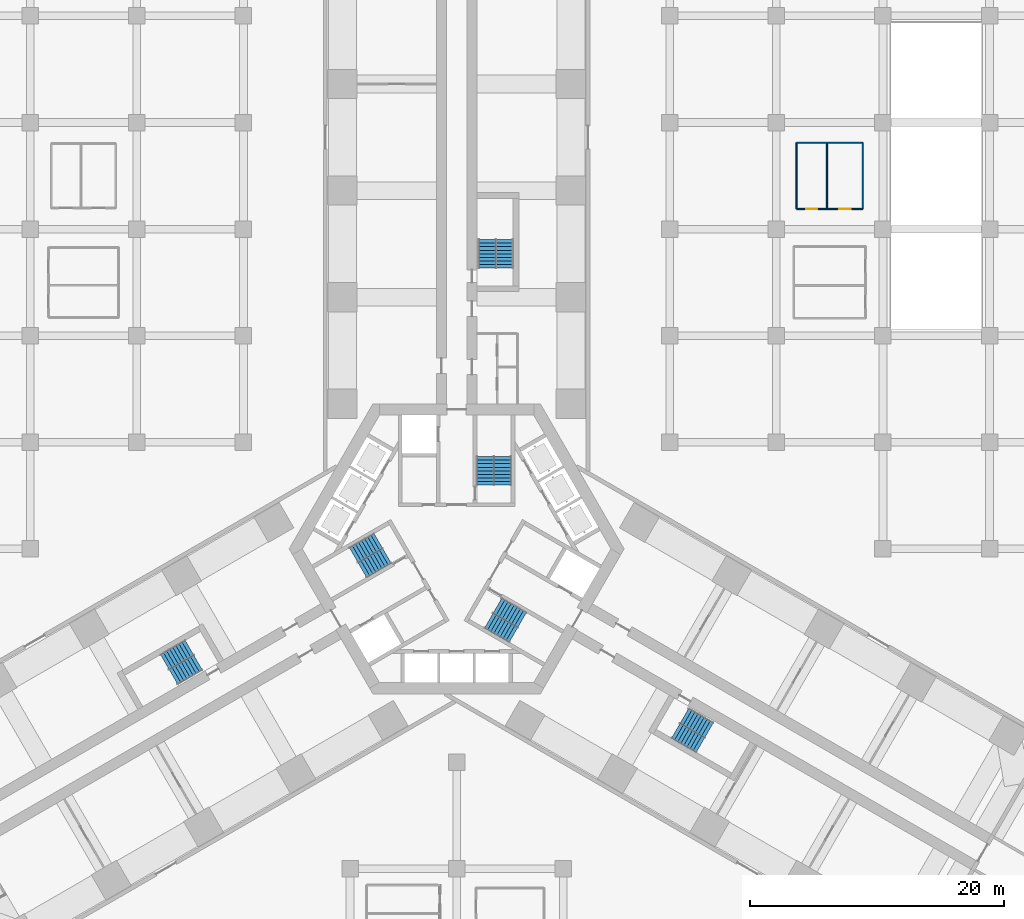
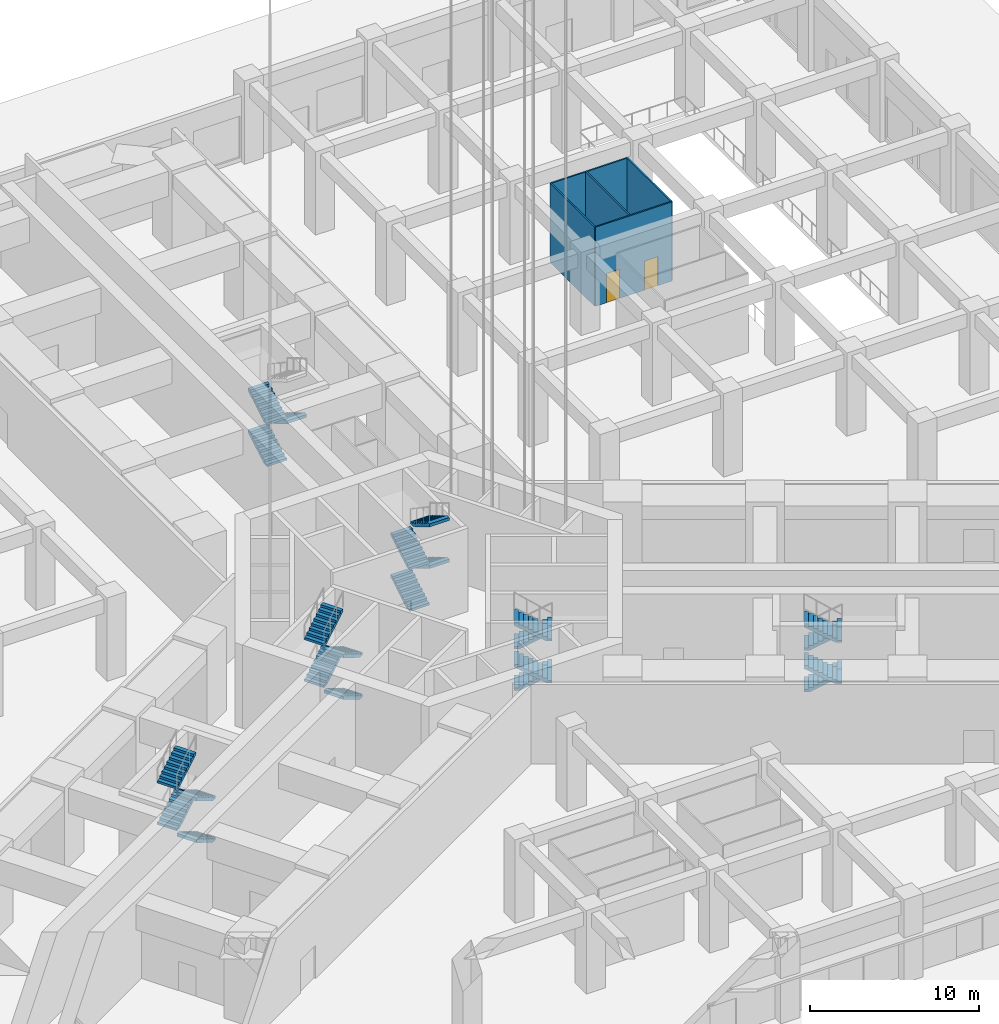
# One storey, part 15 of 33: 23 stair flights, 5 walls, 2 doors, 2 openings, 6 elements without a shape of their own.
"""IFC4 building model written with IfcOpenShell, lengths in metres."""

from ifc_helpers import new_model, si_unit, direction, frame, frame_2d, origin, place, context, subcontext, project, spatial, polyline, rectangle, outline, extrude, material, layer, layer_set, type_object, element, fill, aggregate, save


model = new_model("IFC4")

# Units and contexts
model_context = context("Model", 3, precision=1e-05, world=origin(), true_north=direction((0.0, 1.0)))
body_context = subcontext(model_context, "Body", "Model", "MODEL_VIEW")
ifc_project = project(units=[si_unit("LENGTHUNIT", "METRE"), si_unit("AREAUNIT", "SQUARE_METRE"), si_unit("VOLUMEUNIT", "CUBIC_METRE"), si_unit("PLANEANGLEUNIT", "RADIAN"), si_unit("MASSUNIT", "GRAM", prefix="KILO")], contexts=[model_context])

# Site, building, storey
site_placement = place(None, origin())
site = spatial("IfcSite", under=ifc_project, at=site_placement, CompositionType="ELEMENT")
building_placement = place(site_placement, origin())
building = spatial("IfcBuilding", under=site, at=building_placement, Name="Impinga Residences", CompositionType="ELEMENT")
storey_placement = place(building_placement, origin())
storey = spatial("IfcBuildingStorey", under=building, at=storey_placement, Name="L00", CompositionType="ELEMENT", Elevation=0.0)

# Wall, openings, doors
ifc_material_1 = material(Name="Gypsum board on steel studs", Category="steel")
ifc_layer = layer(ifc_material_1, 0.10009765625)
ifc_layer_set = layer_set([ifc_layer], Name="Gypsum board on steel studs")
wall_type = type_object("IfcWallType", Name="IP1 partition 100", PredefinedType="PARTITIONING", material=ifc_layer_set)
wall_placement = place(storey_placement, frame((26.7900390625, 26.7900390625, 0.0), z_axis=(0.0, 0.0, 1.0), x_axis=(1.0, 0.0, 0.0)))
wall = element("IfcWall", 1, at=wall_placement, inside=storey, type_object=wall_type, Name="Partition L00:REG:NE:B2:BLKS", PredefinedType="PARTITIONING", context=body_context, shape_type="SweptSolid", body=[
    extrude(rectangle(XDim=5.219970703125, YDim=0.10009765625, at=frame_2d((2.60986328125, 0.0))), origin(), (0.0, 0.0, 1.0), 5.699951171875),
])
opening_1_placement = place(wall_placement, frame((0.747314453125, 0.0, 0.0)))
opening_1 = element("IfcOpeningElement", 2, at=opening_1_placement, cuts=wall, Name="Opening D2", PredefinedType="OPENING", context=body_context, shape_type="SweptSolid", body=[
    extrude(rectangle(XDim=0.89990234375, YDim=2.10009765625, at=frame_2d((0.449951171875, 1.050048828125))), frame((0.0, 0.06005859375, 0.0), z_axis=(0.0, -1.0, 0.0), x_axis=(1.0, 0.0, 0.0)), (0.0, 0.0, 1.0), 0.1201171875),
])
opening_2_placement = place(wall_placement, frame((3.357177734375, 0.0, 0.0)))
opening_2 = element("IfcOpeningElement", 3, at=opening_2_placement, cuts=wall, Name="Opening D2", PredefinedType="OPENING", context=body_context, shape_type="SweptSolid", body=[
    extrude(rectangle(XDim=0.89990234375, YDim=2.10009765625, at=frame_2d((0.449951171875, 1.050048828125))), frame((0.0, 0.06005859375, 0.0), z_axis=(0.0, -1.0, 0.0), x_axis=(1.0, 0.0, 0.0)), (0.0, 0.0, 1.0), 0.1201171875),
])
ifc_material_2 = material(Name="Timber door set", Category="wood")
door_type = type_object("IfcDoorType", Name="D2 internal door 900x2100", OperationType="SINGLE_SWING_LEFT", PredefinedType="DOOR", material=ifc_material_2)
door_1_placement = place(opening_1_placement, origin())
door_1 = element("IfcDoor", 4, at=door_1_placement, inside=storey, type_object=door_type, Name="Refuse store door", OperationType="SINGLE_SWING_LEFT", OverallHeight=2.10009765625, OverallWidth=0.89990234375, PredefinedType="DOOR", context=body_context, shape_type="SweptSolid", body=[
    extrude(rectangle(XDim=0.89990234375, YDim=2.10009765625, at=frame_2d((0.449951171875, 1.050048828125))), frame((0.0, 0.02490234375, 0.0), z_axis=(0.0, -1.0, 0.0), x_axis=(1.0, 0.0, 0.0)), (0.0, 0.0, 1.0), 0.050048828125),
])
fill(opening_1, door_1)
door_2_placement = place(opening_2_placement, origin())
door_2 = element("IfcDoor", 5, at=door_2_placement, inside=storey, type_object=door_type, Name="Recycling store door", OperationType="SINGLE_SWING_RIGHT", OverallHeight=2.10009765625, OverallWidth=0.89990234375, PredefinedType="DOOR", context=body_context, shape_type="SweptSolid", body=[
    extrude(rectangle(XDim=0.89990234375, YDim=2.10009765625, at=frame_2d((0.449951171875, 1.050048828125))), frame((0.0, 0.02490234375, 0.0), z_axis=(0.0, -1.0, 0.0), x_axis=(1.0, 0.0, 0.0)), (0.0, 0.0, 1.0), 0.050048828125),
])
fill(opening_2, door_2)

# Walls
for number, where, z_axis, x_axis, name in (
    (6, (32.010009765625, 26.7900390625, 0.0), (0.0, 0.0, 1.0), (0.0, 1.0, 0.0), "Partition L00:REG:NE:B2:BLKE"),
    (7, (32.010009765625, 32.010009765625, 0.0), (0.0, 0.0, 1.0), (-1.0, 0.0, 0.0), "Partition L00:REG:NE:B2:BLKN"),
    (8, (26.7900390625, 32.010009765625, 0.0), (0.0, 0.0, 1.0), (0.0, -1.0, 0.0), "Partition L00:REG:NE:B2:BLKW"),
    (9, (29.1845703125, 26.7900390625, 0.0), (0.0, 0.0, 1.0), (0.0, 1.0, 0.0), "Partition L00:REG:NE:B2:BLKP1"),
):
    element("IfcWall", number, at=place(storey_placement, frame(where, z_axis=z_axis, x_axis=x_axis)), inside=storey, type_object=wall_type, Name=name, PredefinedType="PARTITIONING", context=body_context, shape_type="SweptSolid", body=[
        extrude(rectangle(XDim=5.219970703125, YDim=0.10009765625, at=frame_2d((2.60986328125, 0.0))), origin(), (0.0, 0.0, 1.0), 5.699951171875),
    ])

# Stair, stair flights
ifc_material_3 = material(Name="Concrete C40/50", Category="concrete")
stair_type_1 = type_object("IfcStairType", Name="STR core stair 6000 storey, 36 risers", PredefinedType="HALF_TURN_STAIR", material=ifc_material_3)
stair_1_placement = place(storey_placement, origin())
stair_1 = element("IfcStair", 10, at=stair_1_placement, inside=storey, type_object=stair_type_1, Name="Stair ST1 L00", PredefinedType="HALF_TURN_STAIR")
stair_flight_type = type_object("IfcStairFlightType", Name="SF 9 risers of 167", PredefinedType="STRAIGHT", material=ifc_material_3)
stair_flight_1_placement = place(storey_placement, frame((2.27490234375, 5.030029296875, 0.0), z_axis=(0.0, 0.0, 1.0), x_axis=(0.0, 1.0, 0.0)))
stair_flight_1 = element("IfcStairFlight", 11, at=stair_flight_1_placement, type_object=stair_flight_type, Name="ST1 flight 1", NumberOfRisers=9, NumberOfTreads=8, PredefinedType="STRAIGHT", RiserHeight=0.166666667, TreadLength=0.28, context=body_context, shape_type="SweptSolid", body=[
    extrude(outline(polyline([(0.0, 0.0), (0.0, 0.166748046875), (0.280029296875, 0.166748046875), (0.280029296875, 0.333251953125), (0.56005859375, 0.333251953125), (0.56005859375, 0.5), (0.840087890625, 0.5), (0.840087890625, 0.666748046875), (1.1201171875, 0.666748046875), (1.1201171875, 0.833251953125), (1.39990234375, 0.833251953125), (1.39990234375, 1.0), (1.679931640625, 1.0), (1.679931640625, 1.166748046875), (1.9599609375, 1.166748046875), (1.9599609375, 1.333251953125), (2.239990234375, 1.333251953125), (2.239990234375, 1.5), (2.239990234375, 1.1240234375), (0.351806640625, 0.0), (0.0, 0.0)])), frame((0.0, 0.675048828125, 0.0), z_axis=(0.0, -1.0, 0.0), x_axis=(1.0, 0.0, 0.0)), (0.0, 0.0, 1.0), 1.35009765625),
])
stair_flight_2_placement = place(storey_placement, frame((3.625, 7.27001953125, 1.5), z_axis=(0.0, 0.0, 1.0), x_axis=(0.0, -1.0, 0.0)))
stair_flight_2 = element("IfcStairFlight", 12, at=stair_flight_2_placement, type_object=stair_flight_type, Name="ST1 flight 2", NumberOfRisers=9, NumberOfTreads=8, PredefinedType="STRAIGHT", RiserHeight=0.166666667, TreadLength=0.28, context=body_context, shape_type="SweptSolid", body=[
    extrude(outline(polyline([(0.0, 0.0), (0.0, 0.166748046875), (0.280029296875, 0.166748046875), (0.280029296875, 0.333251953125), (0.56005859375, 0.333251953125), (0.56005859375, 0.5), (0.840087890625, 0.5), (0.840087890625, 0.666748046875), (1.1201171875, 0.666748046875), (1.1201171875, 0.833251953125), (1.39990234375, 0.833251953125), (1.39990234375, 1.0), (1.679931640625, 1.0), (1.679931640625, 1.166748046875), (1.9599609375, 1.166748046875), (1.9599609375, 1.333251953125), (2.239990234375, 1.333251953125), (2.239990234375, 1.5), (2.239990234375, 1.1240234375), (0.351806640625, 0.0), (0.0, 0.0)])), frame((0.0, 0.675048828125, 0.0), z_axis=(0.0, -1.0, 0.0), x_axis=(1.0, 0.0, 0.0)), (0.0, 0.0, 1.0), 1.35009765625),
])
stair_flight_3_placement = place(storey_placement, frame((2.27490234375, 5.030029296875, 3.0), z_axis=(0.0, 0.0, 1.0), x_axis=(0.0, 1.0, 0.0)))
stair_flight_3 = element("IfcStairFlight", 13, at=stair_flight_3_placement, type_object=stair_flight_type, Name="ST1 flight 3", NumberOfRisers=9, NumberOfTreads=8, PredefinedType="STRAIGHT", RiserHeight=0.166666667, TreadLength=0.28, context=body_context, shape_type="SweptSolid", body=[
    extrude(outline(polyline([(0.0, 0.0), (0.0, 0.166748046875), (0.280029296875, 0.166748046875), (0.280029296875, 0.333251953125), (0.56005859375, 0.333251953125), (0.56005859375, 0.5), (0.840087890625, 0.5), (0.840087890625, 0.666748046875), (1.1201171875, 0.666748046875), (1.1201171875, 0.833251953125), (1.39990234375, 0.833251953125), (1.39990234375, 1.0), (1.679931640625, 1.0), (1.679931640625, 1.166748046875), (1.9599609375, 1.166748046875), (1.9599609375, 1.333251953125), (2.239990234375, 1.333251953125), (2.239990234375, 1.5), (2.239990234375, 1.1240234375), (0.351806640625, 0.0), (0.0, 0.0)])), frame((0.0, 0.675048828125, 0.0), z_axis=(0.0, -1.0, 0.0), x_axis=(1.0, 0.0, 0.0)), (0.0, 0.0, 1.0), 1.35009765625),
])
stair_flight_4_placement = place(storey_placement, frame((3.625, 7.27001953125, 4.5), z_axis=(0.0, 0.0, 1.0), x_axis=(0.0, -1.0, 0.0)))
stair_flight_4 = element("IfcStairFlight", 14, at=stair_flight_4_placement, type_object=stair_flight_type, Name="ST1 flight 4", NumberOfRisers=9, NumberOfTreads=8, PredefinedType="STRAIGHT", RiserHeight=0.166666667, TreadLength=0.28, context=body_context, shape_type="SweptSolid", body=[
    extrude(outline(polyline([(0.0, 0.0), (0.0, 0.166748046875), (0.280029296875, 0.166748046875), (0.280029296875, 0.333251953125), (0.56005859375, 0.333251953125), (0.56005859375, 0.5), (0.840087890625, 0.5), (0.840087890625, 0.666748046875), (1.1201171875, 0.666748046875), (1.1201171875, 0.833251953125), (1.39990234375, 0.833251953125), (1.39990234375, 1.0), (1.679931640625, 1.0), (1.679931640625, 1.166748046875), (1.9599609375, 1.166748046875), (1.9599609375, 1.333251953125), (2.239990234375, 1.333251953125), (2.239990234375, 1.5), (2.239990234375, 1.1240234375), (0.351806640625, 0.0), (0.0, 0.0)])), frame((0.0, 0.675048828125, 0.0), z_axis=(0.0, -1.0, 0.0), x_axis=(1.0, 0.0, 0.0)), (0.0, 0.0, 1.0), 1.35009765625),
])
aggregate(stair_1, [stair_flight_1, stair_flight_2, stair_flight_3, stair_flight_4])

stair_2_placement = place(storey_placement, origin())
stair_2 = element("IfcStair", 15, at=stair_2_placement, inside=storey, type_object=stair_type_1, Name="Stair ST2 L00", PredefinedType="HALF_TURN_STAIR")
stair_flight_5_placement = place(storey_placement, frame((-5.49365234375, -0.544677734375, 0.0), z_axis=(0.0, 0.0, 1.0), x_axis=(-0.866025403784, -0.5, 0.0)))
stair_flight_5 = element("IfcStairFlight", 16, at=stair_flight_5_placement, type_object=stair_flight_type, Name="ST2 flight 1", NumberOfRisers=9, NumberOfTreads=8, PredefinedType="STRAIGHT", RiserHeight=0.166666667, TreadLength=0.28, context=body_context, shape_type="SweptSolid", body=[
    extrude(outline(polyline([(0.0, 0.0), (0.0, 0.166748046875), (0.280029296875, 0.166748046875), (0.280029296875, 0.333251953125), (0.56005859375, 0.333251953125), (0.56005859375, 0.5), (0.840087890625, 0.5), (0.840087890625, 0.666748046875), (1.1201171875, 0.666748046875), (1.1201171875, 0.833251953125), (1.39990234375, 0.833251953125), (1.39990234375, 1.0), (1.679931640625, 1.0), (1.679931640625, 1.166748046875), (1.9599609375, 1.166748046875), (1.9599609375, 1.333251953125), (2.239990234375, 1.333251953125), (2.239990234375, 1.5), (2.239990234375, 1.1240234375), (0.351806640625, 0.0), (0.0, 0.0)])), frame((0.0, 0.675048828125, 0.0), z_axis=(0.0, -1.0, 0.0), x_axis=(1.0, 0.0, 0.0)), (0.0, 0.0, 1.0), 1.35009765625),
])
stair_flight_6_placement = place(storey_placement, frame((-8.1083984375, -0.49560546875, 1.5), z_axis=(0.0, 0.0, 1.0), x_axis=(0.866025403784, 0.5, 0.0)))
stair_flight_6 = element("IfcStairFlight", 17, at=stair_flight_6_placement, type_object=stair_flight_type, Name="ST2 flight 2", NumberOfRisers=9, NumberOfTreads=8, PredefinedType="STRAIGHT", RiserHeight=0.166666667, TreadLength=0.28, context=body_context, shape_type="SweptSolid", body=[
    extrude(outline(polyline([(0.0, 0.0), (0.0, 0.166748046875), (0.280029296875, 0.166748046875), (0.280029296875, 0.333251953125), (0.56005859375, 0.333251953125), (0.56005859375, 0.5), (0.840087890625, 0.5), (0.840087890625, 0.666748046875), (1.1201171875, 0.666748046875), (1.1201171875, 0.833251953125), (1.39990234375, 0.833251953125), (1.39990234375, 1.0), (1.679931640625, 1.0), (1.679931640625, 1.166748046875), (1.9599609375, 1.166748046875), (1.9599609375, 1.333251953125), (2.239990234375, 1.333251953125), (2.239990234375, 1.5), (2.239990234375, 1.1240234375), (0.351806640625, 0.0), (0.0, 0.0)])), frame((0.0, 0.675048828125, 0.0), z_axis=(0.0, -1.0, 0.0), x_axis=(1.0, 0.0, 0.0)), (0.0, 0.0, 1.0), 1.35009765625),
])
stair_flight_7_placement = place(storey_placement, frame((-5.49365234375, -0.544677734375, 3.0), z_axis=(0.0, 0.0, 1.0), x_axis=(-0.866025403784, -0.5, 0.0)))
stair_flight_7 = element("IfcStairFlight", 18, at=stair_flight_7_placement, type_object=stair_flight_type, Name="ST2 flight 3", NumberOfRisers=9, NumberOfTreads=8, PredefinedType="STRAIGHT", RiserHeight=0.166666667, TreadLength=0.28, context=body_context, shape_type="SweptSolid", body=[
    extrude(outline(polyline([(0.0, 0.0), (0.0, 0.166748046875), (0.280029296875, 0.166748046875), (0.280029296875, 0.333251953125), (0.56005859375, 0.333251953125), (0.56005859375, 0.5), (0.840087890625, 0.5), (0.840087890625, 0.666748046875), (1.1201171875, 0.666748046875), (1.1201171875, 0.833251953125), (1.39990234375, 0.833251953125), (1.39990234375, 1.0), (1.679931640625, 1.0), (1.679931640625, 1.166748046875), (1.9599609375, 1.166748046875), (1.9599609375, 1.333251953125), (2.239990234375, 1.333251953125), (2.239990234375, 1.5), (2.239990234375, 1.1240234375), (0.351806640625, 0.0), (0.0, 0.0)])), frame((0.0, 0.675048828125, 0.0), z_axis=(0.0, -1.0, 0.0), x_axis=(1.0, 0.0, 0.0)), (0.0, 0.0, 1.0), 1.35009765625),
])
stair_flight_8_placement = place(storey_placement, frame((-8.1083984375, -0.49560546875, 4.5), z_axis=(0.0, 0.0, 1.0), x_axis=(0.866025403784, 0.5, 0.0)))
stair_flight_8 = element("IfcStairFlight", 19, at=stair_flight_8_placement, type_object=stair_flight_type, Name="ST2 flight 4", NumberOfRisers=9, NumberOfTreads=8, PredefinedType="STRAIGHT", RiserHeight=0.166666667, TreadLength=0.28, context=body_context, shape_type="SweptSolid", body=[
    extrude(outline(polyline([(0.0, 0.0), (0.0, 0.166748046875), (0.280029296875, 0.166748046875), (0.280029296875, 0.333251953125), (0.56005859375, 0.333251953125), (0.56005859375, 0.5), (0.840087890625, 0.5), (0.840087890625, 0.666748046875), (1.1201171875, 0.666748046875), (1.1201171875, 0.833251953125), (1.39990234375, 0.833251953125), (1.39990234375, 1.0), (1.679931640625, 1.0), (1.679931640625, 1.166748046875), (1.9599609375, 1.166748046875), (1.9599609375, 1.333251953125), (2.239990234375, 1.333251953125), (2.239990234375, 1.5), (2.239990234375, 1.1240234375), (0.351806640625, 0.0), (0.0, 0.0)])), frame((0.0, 0.675048828125, 0.0), z_axis=(0.0, -1.0, 0.0), x_axis=(1.0, 0.0, 0.0)), (0.0, 0.0, 1.0), 1.35009765625),
])
aggregate(stair_2, [stair_flight_5, stair_flight_6, stair_flight_7, stair_flight_8])

stair_3_placement = place(storey_placement, origin())
stair_3 = element("IfcStair", 20, at=stair_3_placement, inside=storey, type_object=stair_type_1, Name="Stair ST3 L00", PredefinedType="HALF_TURN_STAIR")
stair_flight_9_placement = place(storey_placement, frame((3.218505859375, -4.485107421875, 0.0), z_axis=(0.0, 0.0, 1.0), x_axis=(0.866025403784, -0.5, 0.0)))
stair_flight_9 = element("IfcStairFlight", 21, at=stair_flight_9_placement, type_object=stair_flight_type, Name="ST3 flight 1", NumberOfRisers=9, NumberOfTreads=8, PredefinedType="STRAIGHT", RiserHeight=0.166666667, TreadLength=0.28, context=body_context, shape_type="SweptSolid", body=[
    extrude(outline(polyline([(0.0, 0.0), (0.0, 0.166748046875), (0.280029296875, 0.166748046875), (0.280029296875, 0.333251953125), (0.56005859375, 0.333251953125), (0.56005859375, 0.5), (0.840087890625, 0.5), (0.840087890625, 0.666748046875), (1.1201171875, 0.666748046875), (1.1201171875, 0.833251953125), (1.39990234375, 0.833251953125), (1.39990234375, 1.0), (1.679931640625, 1.0), (1.679931640625, 1.166748046875), (1.9599609375, 1.166748046875), (1.9599609375, 1.333251953125), (2.239990234375, 1.333251953125), (2.239990234375, 1.5), (2.239990234375, 1.1240234375), (0.351806640625, 0.0), (0.0, 0.0)])), frame((0.0, 0.675048828125, 0.0), z_axis=(0.0, -1.0, 0.0), x_axis=(1.0, 0.0, 0.0)), (0.0, 0.0, 1.0), 1.35009765625),
])
stair_flight_10_placement = place(storey_placement, frame((4.4833984375, -6.7744140625, 1.5), z_axis=(0.0, 0.0, 1.0), x_axis=(-0.866025403784, 0.5, 0.0)))
stair_flight_10 = element("IfcStairFlight", 22, at=stair_flight_10_placement, type_object=stair_flight_type, Name="ST3 flight 2", NumberOfRisers=9, NumberOfTreads=8, PredefinedType="STRAIGHT", RiserHeight=0.166666667, TreadLength=0.28, context=body_context, shape_type="SweptSolid", body=[
    extrude(outline(polyline([(0.0, 0.0), (0.0, 0.166748046875), (0.280029296875, 0.166748046875), (0.280029296875, 0.333251953125), (0.56005859375, 0.333251953125), (0.56005859375, 0.5), (0.840087890625, 0.5), (0.840087890625, 0.666748046875), (1.1201171875, 0.666748046875), (1.1201171875, 0.833251953125), (1.39990234375, 0.833251953125), (1.39990234375, 1.0), (1.679931640625, 1.0), (1.679931640625, 1.166748046875), (1.9599609375, 1.166748046875), (1.9599609375, 1.333251953125), (2.239990234375, 1.333251953125), (2.239990234375, 1.5), (2.239990234375, 1.1240234375), (0.351806640625, 0.0), (0.0, 0.0)])), frame((0.0, 0.675048828125, 0.0), z_axis=(0.0, -1.0, 0.0), x_axis=(1.0, 0.0, 0.0)), (0.0, 0.0, 1.0), 1.35009765625),
])
stair_flight_11_placement = place(storey_placement, frame((3.218505859375, -4.485107421875, 3.0), z_axis=(0.0, 0.0, 1.0), x_axis=(0.866025403784, -0.5, 0.0)))
stair_flight_11 = element("IfcStairFlight", 23, at=stair_flight_11_placement, type_object=stair_flight_type, Name="ST3 flight 3", NumberOfRisers=9, NumberOfTreads=8, PredefinedType="STRAIGHT", RiserHeight=0.166666667, TreadLength=0.28, context=body_context, shape_type="SweptSolid", body=[
    extrude(outline(polyline([(0.0, 0.0), (0.0, 0.166748046875), (0.280029296875, 0.166748046875), (0.280029296875, 0.333251953125), (0.56005859375, 0.333251953125), (0.56005859375, 0.5), (0.840087890625, 0.5), (0.840087890625, 0.666748046875), (1.1201171875, 0.666748046875), (1.1201171875, 0.833251953125), (1.39990234375, 0.833251953125), (1.39990234375, 1.0), (1.679931640625, 1.0), (1.679931640625, 1.166748046875), (1.9599609375, 1.166748046875), (1.9599609375, 1.333251953125), (2.239990234375, 1.333251953125), (2.239990234375, 1.5), (2.239990234375, 1.1240234375), (0.351806640625, 0.0), (0.0, 0.0)])), frame((0.0, 0.675048828125, 0.0), z_axis=(0.0, -1.0, 0.0), x_axis=(1.0, 0.0, 0.0)), (0.0, 0.0, 1.0), 1.35009765625),
])
stair_flight_12_placement = place(storey_placement, frame((4.4833984375, -6.7744140625, 4.5), z_axis=(0.0, 0.0, 1.0), x_axis=(-0.866025403784, 0.5, 0.0)))
stair_flight_12 = element("IfcStairFlight", 24, at=stair_flight_12_placement, type_object=stair_flight_type, Name="ST3 flight 4", NumberOfRisers=9, NumberOfTreads=8, PredefinedType="STRAIGHT", RiserHeight=0.166666667, TreadLength=0.28, context=body_context, shape_type="SweptSolid", body=[
    extrude(outline(polyline([(0.0, 0.0), (0.0, 0.166748046875), (0.280029296875, 0.166748046875), (0.280029296875, 0.333251953125), (0.56005859375, 0.333251953125), (0.56005859375, 0.5), (0.840087890625, 0.5), (0.840087890625, 0.666748046875), (1.1201171875, 0.666748046875), (1.1201171875, 0.833251953125), (1.39990234375, 0.833251953125), (1.39990234375, 1.0), (1.679931640625, 1.0), (1.679931640625, 1.166748046875), (1.9599609375, 1.166748046875), (1.9599609375, 1.333251953125), (2.239990234375, 1.333251953125), (2.239990234375, 1.5), (2.239990234375, 1.1240234375), (0.351806640625, 0.0), (0.0, 0.0)])), frame((0.0, 0.675048828125, 0.0), z_axis=(0.0, -1.0, 0.0), x_axis=(1.0, 0.0, 0.0)), (0.0, 0.0, 1.0), 1.35009765625),
])
aggregate(stair_3, [stair_flight_9, stair_flight_10, stair_flight_11, stair_flight_12])

stair_type_2 = type_object("IfcStairType", Name="STR wing stair 6000 storey, 36 risers", PredefinedType="HALF_TURN_STAIR", material=ifc_material_3)
stair_4_placement = place(storey_placement, origin())
stair_4 = element("IfcStair", 25, at=stair_4_placement, inside=storey, type_object=stair_type_2, Name="Stair WS1 L00", PredefinedType="HALF_TURN_STAIR")
stair_flight_13_placement = place(storey_placement, frame((2.425048828125, 22.131591796875, 0.0), z_axis=(0.0, 0.0, 1.0), x_axis=(0.0, 1.0, 0.0)))
stair_flight_13 = element("IfcStairFlight", 26, at=stair_flight_13_placement, type_object=stair_flight_type, Name="WS1 flight 1", NumberOfRisers=9, NumberOfTreads=8, PredefinedType="STRAIGHT", RiserHeight=0.166666667, TreadLength=0.28, context=body_context, shape_type="SweptSolid", body=[
    extrude(outline(polyline([(0.0, 0.0), (0.0, 0.166748046875), (0.280029296875, 0.166748046875), (0.280029296875, 0.333251953125), (0.56005859375, 0.333251953125), (0.56005859375, 0.5), (0.840087890625, 0.5), (0.840087890625, 0.666748046875), (1.1201171875, 0.666748046875), (1.1201171875, 0.833251953125), (1.39990234375, 0.833251953125), (1.39990234375, 1.0), (1.679931640625, 1.0), (1.679931640625, 1.166748046875), (1.9599609375, 1.166748046875), (1.9599609375, 1.333251953125), (2.239990234375, 1.333251953125), (2.239990234375, 1.5), (2.239990234375, 1.1240234375), (0.351806640625, 0.0), (0.0, 0.0)])), frame((0.0, 0.675048828125, 0.0), z_axis=(0.0, -1.0, 0.0), x_axis=(1.0, 0.0, 0.0)), (0.0, 0.0, 1.0), 1.35009765625),
])
stair_flight_14_placement = place(storey_placement, frame((3.77490234375, 24.37158203125, 1.5), z_axis=(0.0, 0.0, 1.0), x_axis=(0.0, -1.0, 0.0)))
stair_flight_14 = element("IfcStairFlight", 27, at=stair_flight_14_placement, type_object=stair_flight_type, Name="WS1 flight 2", NumberOfRisers=9, NumberOfTreads=8, PredefinedType="STRAIGHT", RiserHeight=0.166666667, TreadLength=0.28, context=body_context, shape_type="SweptSolid", body=[
    extrude(outline(polyline([(0.0, 0.0), (0.0, 0.166748046875), (0.280029296875, 0.166748046875), (0.280029296875, 0.333251953125), (0.56005859375, 0.333251953125), (0.56005859375, 0.5), (0.840087890625, 0.5), (0.840087890625, 0.666748046875), (1.1201171875, 0.666748046875), (1.1201171875, 0.833251953125), (1.39990234375, 0.833251953125), (1.39990234375, 1.0), (1.679931640625, 1.0), (1.679931640625, 1.166748046875), (1.9599609375, 1.166748046875), (1.9599609375, 1.333251953125), (2.239990234375, 1.333251953125), (2.239990234375, 1.5), (2.239990234375, 1.1240234375), (0.351806640625, 0.0), (0.0, 0.0)])), frame((0.0, 0.675048828125, 0.0), z_axis=(0.0, -1.0, 0.0), x_axis=(1.0, 0.0, 0.0)), (0.0, 0.0, 1.0), 1.35009765625),
])
stair_flight_15_placement = place(storey_placement, frame((2.425048828125, 22.131591796875, 3.0), z_axis=(0.0, 0.0, 1.0), x_axis=(0.0, 1.0, 0.0)))
stair_flight_15 = element("IfcStairFlight", 28, at=stair_flight_15_placement, type_object=stair_flight_type, Name="WS1 flight 3", NumberOfRisers=9, NumberOfTreads=8, PredefinedType="STRAIGHT", RiserHeight=0.166666667, TreadLength=0.28, context=body_context, shape_type="SweptSolid", body=[
    extrude(outline(polyline([(0.0, 0.0), (0.0, 0.166748046875), (0.280029296875, 0.166748046875), (0.280029296875, 0.333251953125), (0.56005859375, 0.333251953125), (0.56005859375, 0.5), (0.840087890625, 0.5), (0.840087890625, 0.666748046875), (1.1201171875, 0.666748046875), (1.1201171875, 0.833251953125), (1.39990234375, 0.833251953125), (1.39990234375, 1.0), (1.679931640625, 1.0), (1.679931640625, 1.166748046875), (1.9599609375, 1.166748046875), (1.9599609375, 1.333251953125), (2.239990234375, 1.333251953125), (2.239990234375, 1.5), (2.239990234375, 1.1240234375), (0.351806640625, 0.0), (0.0, 0.0)])), frame((0.0, 0.675048828125, 0.0), z_axis=(0.0, -1.0, 0.0), x_axis=(1.0, 0.0, 0.0)), (0.0, 0.0, 1.0), 1.35009765625),
])
aggregate(stair_4, [stair_flight_13, stair_flight_14, stair_flight_15])

stair_5_placement = place(storey_placement, origin())
stair_5 = element("IfcStair", 29, at=stair_5_placement, inside=storey, type_object=stair_type_2, Name="Stair WS2 L00", PredefinedType="HALF_TURN_STAIR")
stair_flight_16_placement = place(storey_placement, frame((-20.37890625, -8.965576171875, 0.0), z_axis=(0.0, 0.0, 1.0), x_axis=(-0.866025403784, -0.5, 0.0)))
stair_flight_16 = element("IfcStairFlight", 30, at=stair_flight_16_placement, type_object=stair_flight_type, Name="WS2 flight 1", NumberOfRisers=9, NumberOfTreads=8, PredefinedType="STRAIGHT", RiserHeight=0.166666667, TreadLength=0.28, context=body_context, shape_type="SweptSolid", body=[
    extrude(outline(polyline([(0.0, 0.0), (0.0, 0.166748046875), (0.280029296875, 0.166748046875), (0.280029296875, 0.333251953125), (0.56005859375, 0.333251953125), (0.56005859375, 0.5), (0.840087890625, 0.5), (0.840087890625, 0.666748046875), (1.1201171875, 0.666748046875), (1.1201171875, 0.833251953125), (1.39990234375, 0.833251953125), (1.39990234375, 1.0), (1.679931640625, 1.0), (1.679931640625, 1.166748046875), (1.9599609375, 1.166748046875), (1.9599609375, 1.333251953125), (2.239990234375, 1.333251953125), (2.239990234375, 1.5), (2.239990234375, 1.1240234375), (0.351806640625, 0.0), (0.0, 0.0)])), frame((0.0, 0.675048828125, 0.0), z_axis=(0.0, -1.0, 0.0), x_axis=(1.0, 0.0, 0.0)), (0.0, 0.0, 1.0), 1.35009765625),
])
stair_flight_17_placement = place(storey_placement, frame((-22.993896484375, -8.91650390625, 1.5), z_axis=(0.0, 0.0, 1.0), x_axis=(0.866025403784, 0.5, 0.0)))
stair_flight_17 = element("IfcStairFlight", 31, at=stair_flight_17_placement, type_object=stair_flight_type, Name="WS2 flight 2", NumberOfRisers=9, NumberOfTreads=8, PredefinedType="STRAIGHT", RiserHeight=0.166666667, TreadLength=0.28, context=body_context, shape_type="SweptSolid", body=[
    extrude(outline(polyline([(0.0, 0.0), (0.0, 0.166748046875), (0.280029296875, 0.166748046875), (0.280029296875, 0.333251953125), (0.56005859375, 0.333251953125), (0.56005859375, 0.5), (0.840087890625, 0.5), (0.840087890625, 0.666748046875), (1.1201171875, 0.666748046875), (1.1201171875, 0.833251953125), (1.39990234375, 0.833251953125), (1.39990234375, 1.0), (1.679931640625, 1.0), (1.679931640625, 1.166748046875), (1.9599609375, 1.166748046875), (1.9599609375, 1.333251953125), (2.239990234375, 1.333251953125), (2.239990234375, 1.5), (2.239990234375, 1.1240234375), (0.351806640625, 0.0), (0.0, 0.0)])), frame((0.0, 0.675048828125, 0.0), z_axis=(0.0, -1.0, 0.0), x_axis=(1.0, 0.0, 0.0)), (0.0, 0.0, 1.0), 1.35009765625),
])
stair_flight_18_placement = place(storey_placement, frame((-20.37890625, -8.965576171875, 3.0), z_axis=(0.0, 0.0, 1.0), x_axis=(-0.866025403784, -0.5, 0.0)))
stair_flight_18 = element("IfcStairFlight", 32, at=stair_flight_18_placement, type_object=stair_flight_type, Name="WS2 flight 3", NumberOfRisers=9, NumberOfTreads=8, PredefinedType="STRAIGHT", RiserHeight=0.166666667, TreadLength=0.28, context=body_context, shape_type="SweptSolid", body=[
    extrude(outline(polyline([(0.0, 0.0), (0.0, 0.166748046875), (0.280029296875, 0.166748046875), (0.280029296875, 0.333251953125), (0.56005859375, 0.333251953125), (0.56005859375, 0.5), (0.840087890625, 0.5), (0.840087890625, 0.666748046875), (1.1201171875, 0.666748046875), (1.1201171875, 0.833251953125), (1.39990234375, 0.833251953125), (1.39990234375, 1.0), (1.679931640625, 1.0), (1.679931640625, 1.166748046875), (1.9599609375, 1.166748046875), (1.9599609375, 1.333251953125), (2.239990234375, 1.333251953125), (2.239990234375, 1.5), (2.239990234375, 1.1240234375), (0.351806640625, 0.0), (0.0, 0.0)])), frame((0.0, 0.675048828125, 0.0), z_axis=(0.0, -1.0, 0.0), x_axis=(1.0, 0.0, 0.0)), (0.0, 0.0, 1.0), 1.35009765625),
])
stair_flight_19_placement = place(storey_placement, frame((-22.993896484375, -8.91650390625, 4.5), z_axis=(0.0, 0.0, 1.0), x_axis=(0.866025403784, 0.5, 0.0)))
stair_flight_19 = element("IfcStairFlight", 33, at=stair_flight_19_placement, type_object=stair_flight_type, Name="WS2 flight 4", NumberOfRisers=9, NumberOfTreads=8, PredefinedType="STRAIGHT", RiserHeight=0.166666667, TreadLength=0.28, context=body_context, shape_type="SweptSolid", body=[
    extrude(outline(polyline([(0.0, 0.0), (0.0, 0.166748046875), (0.280029296875, 0.166748046875), (0.280029296875, 0.333251953125), (0.56005859375, 0.333251953125), (0.56005859375, 0.5), (0.840087890625, 0.5), (0.840087890625, 0.666748046875), (1.1201171875, 0.666748046875), (1.1201171875, 0.833251953125), (1.39990234375, 0.833251953125), (1.39990234375, 1.0), (1.679931640625, 1.0), (1.679931640625, 1.166748046875), (1.9599609375, 1.166748046875), (1.9599609375, 1.333251953125), (2.239990234375, 1.333251953125), (2.239990234375, 1.5), (2.239990234375, 1.1240234375), (0.351806640625, 0.0), (0.0, 0.0)])), frame((0.0, 0.675048828125, 0.0), z_axis=(0.0, -1.0, 0.0), x_axis=(1.0, 0.0, 0.0)), (0.0, 0.0, 1.0), 1.35009765625),
])
aggregate(stair_5, [stair_flight_16, stair_flight_17, stair_flight_18, stair_flight_19])

stair_6_placement = place(storey_placement, origin())
stair_6 = element("IfcStair", 34, at=stair_6_placement, inside=storey, type_object=stair_type_2, Name="Stair WS3 L00", PredefinedType="HALF_TURN_STAIR")
stair_flight_20_placement = place(storey_placement, frame((17.953857421875, -13.165771484375, 0.0), z_axis=(0.0, 0.0, 1.0), x_axis=(0.866025403784, -0.5, 0.0)))
stair_flight_20 = element("IfcStairFlight", 35, at=stair_flight_20_placement, type_object=stair_flight_type, Name="WS3 flight 1", NumberOfRisers=9, NumberOfTreads=8, PredefinedType="STRAIGHT", RiserHeight=0.166666667, TreadLength=0.28, context=body_context, shape_type="SweptSolid", body=[
    extrude(outline(polyline([(0.0, 0.0), (0.0, 0.166748046875), (0.280029296875, 0.166748046875), (0.280029296875, 0.333251953125), (0.56005859375, 0.333251953125), (0.56005859375, 0.5), (0.840087890625, 0.5), (0.840087890625, 0.666748046875), (1.1201171875, 0.666748046875), (1.1201171875, 0.833251953125), (1.39990234375, 0.833251953125), (1.39990234375, 1.0), (1.679931640625, 1.0), (1.679931640625, 1.166748046875), (1.9599609375, 1.166748046875), (1.9599609375, 1.333251953125), (2.239990234375, 1.333251953125), (2.239990234375, 1.5), (2.239990234375, 1.1240234375), (0.351806640625, 0.0), (0.0, 0.0)])), frame((0.0, 0.675048828125, 0.0), z_axis=(0.0, -1.0, 0.0), x_axis=(1.0, 0.0, 0.0)), (0.0, 0.0, 1.0), 1.35009765625),
])
stair_flight_21_placement = place(storey_placement, frame((19.21875, -15.455078125, 1.5), z_axis=(0.0, 0.0, 1.0), x_axis=(-0.866025403784, 0.5, 0.0)))
stair_flight_21 = element("IfcStairFlight", 36, at=stair_flight_21_placement, type_object=stair_flight_type, Name="WS3 flight 2", NumberOfRisers=9, NumberOfTreads=8, PredefinedType="STRAIGHT", RiserHeight=0.166666667, TreadLength=0.28, context=body_context, shape_type="SweptSolid", body=[
    extrude(outline(polyline([(0.0, 0.0), (0.0, 0.166748046875), (0.280029296875, 0.166748046875), (0.280029296875, 0.333251953125), (0.56005859375, 0.333251953125), (0.56005859375, 0.5), (0.840087890625, 0.5), (0.840087890625, 0.666748046875), (1.1201171875, 0.666748046875), (1.1201171875, 0.833251953125), (1.39990234375, 0.833251953125), (1.39990234375, 1.0), (1.679931640625, 1.0), (1.679931640625, 1.166748046875), (1.9599609375, 1.166748046875), (1.9599609375, 1.333251953125), (2.239990234375, 1.333251953125), (2.239990234375, 1.5), (2.239990234375, 1.1240234375), (0.351806640625, 0.0), (0.0, 0.0)])), frame((0.0, 0.675048828125, 0.0), z_axis=(0.0, -1.0, 0.0), x_axis=(1.0, 0.0, 0.0)), (0.0, 0.0, 1.0), 1.35009765625),
])
stair_flight_22_placement = place(storey_placement, frame((17.953857421875, -13.165771484375, 3.0), z_axis=(0.0, 0.0, 1.0), x_axis=(0.866025403784, -0.5, 0.0)))
stair_flight_22 = element("IfcStairFlight", 37, at=stair_flight_22_placement, type_object=stair_flight_type, Name="WS3 flight 3", NumberOfRisers=9, NumberOfTreads=8, PredefinedType="STRAIGHT", RiserHeight=0.166666667, TreadLength=0.28, context=body_context, shape_type="SweptSolid", body=[
    extrude(outline(polyline([(0.0, 0.0), (0.0, 0.166748046875), (0.280029296875, 0.166748046875), (0.280029296875, 0.333251953125), (0.56005859375, 0.333251953125), (0.56005859375, 0.5), (0.840087890625, 0.5), (0.840087890625, 0.666748046875), (1.1201171875, 0.666748046875), (1.1201171875, 0.833251953125), (1.39990234375, 0.833251953125), (1.39990234375, 1.0), (1.679931640625, 1.0), (1.679931640625, 1.166748046875), (1.9599609375, 1.166748046875), (1.9599609375, 1.333251953125), (2.239990234375, 1.333251953125), (2.239990234375, 1.5), (2.239990234375, 1.1240234375), (0.351806640625, 0.0), (0.0, 0.0)])), frame((0.0, 0.675048828125, 0.0), z_axis=(0.0, -1.0, 0.0), x_axis=(1.0, 0.0, 0.0)), (0.0, 0.0, 1.0), 1.35009765625),
])
stair_flight_23_placement = place(storey_placement, frame((19.21875, -15.455078125, 4.5), z_axis=(0.0, 0.0, 1.0), x_axis=(-0.866025403784, 0.5, 0.0)))
stair_flight_23 = element("IfcStairFlight", 38, at=stair_flight_23_placement, type_object=stair_flight_type, Name="WS3 flight 4", NumberOfRisers=9, NumberOfTreads=8, PredefinedType="STRAIGHT", RiserHeight=0.166666667, TreadLength=0.28, context=body_context, shape_type="SweptSolid", body=[
    extrude(outline(polyline([(0.0, 0.0), (0.0, 0.166748046875), (0.280029296875, 0.166748046875), (0.280029296875, 0.333251953125), (0.56005859375, 0.333251953125), (0.56005859375, 0.5), (0.840087890625, 0.5), (0.840087890625, 0.666748046875), (1.1201171875, 0.666748046875), (1.1201171875, 0.833251953125), (1.39990234375, 0.833251953125), (1.39990234375, 1.0), (1.679931640625, 1.0), (1.679931640625, 1.166748046875), (1.9599609375, 1.166748046875), (1.9599609375, 1.333251953125), (2.239990234375, 1.333251953125), (2.239990234375, 1.5), (2.239990234375, 1.1240234375), (0.351806640625, 0.0), (0.0, 0.0)])), frame((0.0, 0.675048828125, 0.0), z_axis=(0.0, -1.0, 0.0), x_axis=(1.0, 0.0, 0.0)), (0.0, 0.0, 1.0), 1.35009765625),
])
aggregate(stair_6, [stair_flight_20, stair_flight_21, stair_flight_22, stair_flight_23])

save(model, "model.ifc")
